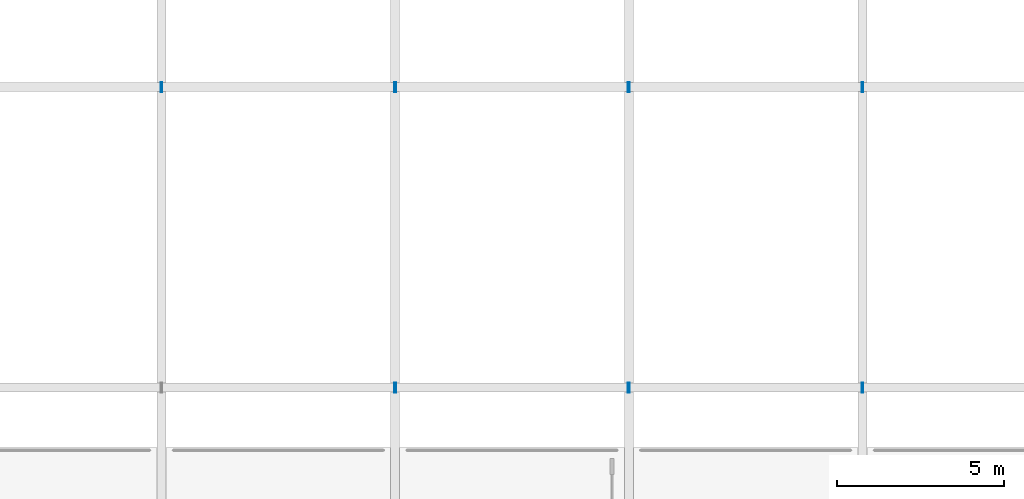
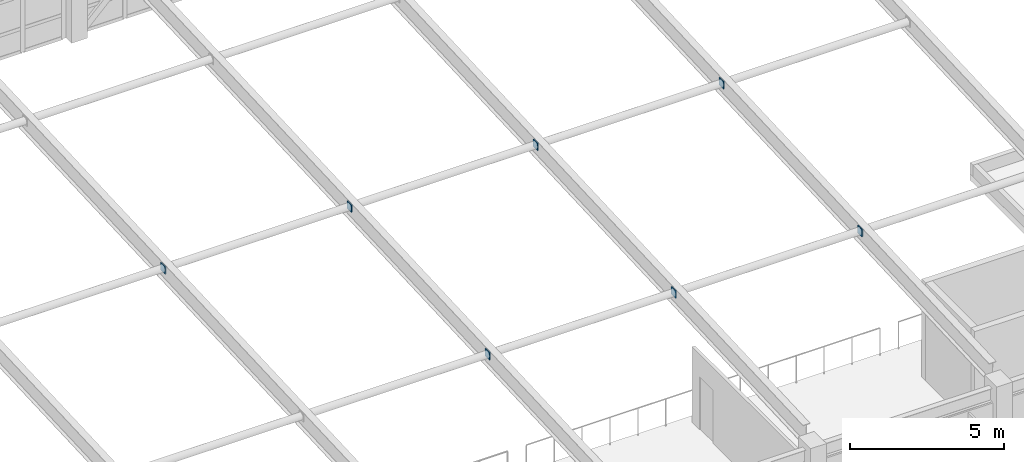
# One storey, part 78 of 150: 14 plates.
"""IFC4 building model written with IfcOpenShell, lengths in metres."""

from ifc_helpers import new_model, si_unit, direction, frame, origin, origin_2d, place, context, subcontext, project, spatial, rectangle, extrude, material, layer, layer_set, type_object, element, save


model = new_model("IFC4")

# Units and contexts
model_context = context("Model", 3, precision=1e-05, world=origin(), true_north=direction((0.0, 1.0)))
body_context = subcontext(model_context, "Body", "Model", "MODEL_VIEW")
ifc_project = project(units=[si_unit("LENGTHUNIT", "METRE"), si_unit("AREAUNIT", "SQUARE_METRE"), si_unit("VOLUMEUNIT", "CUBIC_METRE"), si_unit("PLANEANGLEUNIT", "RADIAN"), si_unit("MASSUNIT", "GRAM", prefix="KILO")], contexts=[model_context])

# Site, building, storey
site_placement = place(None, origin())
site = spatial("IfcSite", under=ifc_project, at=site_placement, CompositionType="ELEMENT")
building_placement = place(site_placement, origin())
building = spatial("IfcBuilding", under=site, at=building_placement, Name="Kestramere Prow Commons", CompositionType="ELEMENT")
storey_placement = place(building_placement, frame((0.0, 0.0, 4.5)))
storey = spatial("IfcBuildingStorey", under=building, at=storey_placement, Name="L01", CompositionType="ELEMENT", Elevation=4.5)

# Plates
ifc_material = material(Name="Steel S355JR", Category="steel")
ifc_layer = layer(ifc_material, 0.01611328125)
ifc_layer_set = layer_set([ifc_layer], Name="Steel S355JR")
plate_type = type_object("IfcPlateType", Name="PL-ENDCAP-16", PredefinedType="SHEET", material=ifc_layer_set)
for number, where, z_axis, x_axis, name in (
    (1, (23.179931640625, 25.5, 3.94140625), (0.0, 0.0, 1.0), (1.0, 0.0, 0.0), "Tie Strut Cap Plate 3-2B"),
    (2, (30.179931640625, 16.5, 3.52880859375), (0.0, 0.0, 1.0), (1.0, 0.0, 0.0), "Tie Strut Cap Plate 4-1B"),
    (3, (23.219970703125, 25.5, 3.94140625), (0.0, 0.0, 1.0), (1.0, 0.0, 0.0), "Tie Strut Cap Plate 4-2A"),
    (4, (30.179931640625, 25.5, 3.94140625), (0.0, 0.0, 1.0), (1.0, 0.0, 0.0), "Tie Strut Cap Plate 4-2B"),
    (5, (30.219970703125, 16.5, 3.52880859375), (0.0, 0.0, 1.0), (1.0, 0.0, 0.0), "Tie Strut Cap Plate 5-1A"),
    (6, (37.179931640625, 16.5, 3.52880859375), (0.0, 0.0, 1.0), (1.0, 0.0, 0.0), "Tie Strut Cap Plate 5-1B"),
    (7, (30.219970703125, 25.5, 3.94140625), (0.0, 0.0, 1.0), (1.0, 0.0, 0.0), "Tie Strut Cap Plate 5-2A"),
    (8, (37.179931640625, 25.5, 3.94140625), (0.0, 0.0, 1.0), (1.0, 0.0, 0.0), "Tie Strut Cap Plate 5-2B"),
    (9, (37.219970703125, 16.5, 3.52880859375), (0.0, 0.0, 1.0), (1.0, 0.0, 0.0), "Tie Strut Cap Plate 6-1A"),
    (10, (44.179931640625, 16.5, 3.52880859375), (0.0, 0.0, 1.0), (1.0, 0.0, 0.0), "Tie Strut Cap Plate 6-1B"),
    (11, (37.219970703125, 25.5, 3.94140625), (0.0, 0.0, 1.0), (1.0, 0.0, 0.0), "Tie Strut Cap Plate 6-2A"),
    (12, (44.179931640625, 25.5, 3.94140625), (0.0, 0.0, 1.0), (1.0, 0.0, 0.0), "Tie Strut Cap Plate 6-2B"),
    (13, (44.219970703125, 16.5, 3.52880859375), (0.0, 0.0, 1.0), (1.0, 0.0, 0.0), "Tie Strut Cap Plate 7-1A"),
    (14, (44.219970703125, 25.5, 3.94140625), (0.0, 0.0, 1.0), (1.0, 0.0, 0.0), "Tie Strut Cap Plate 7-2A"),
):
    element("IfcPlate", number, at=place(storey_placement, frame(where, z_axis=z_axis, x_axis=x_axis)), inside=storey, type_object=plate_type, Name=name, PredefinedType="SHEET", context=body_context, shape_type="SweptSolid", body=[
        extrude(rectangle(XDim=0.01611328125, YDim=0.300048828125, at=origin_2d()), origin(), (0.0, 0.0, 1.0), 0.300048828125),
    ])

save(model, "model.ifc")
